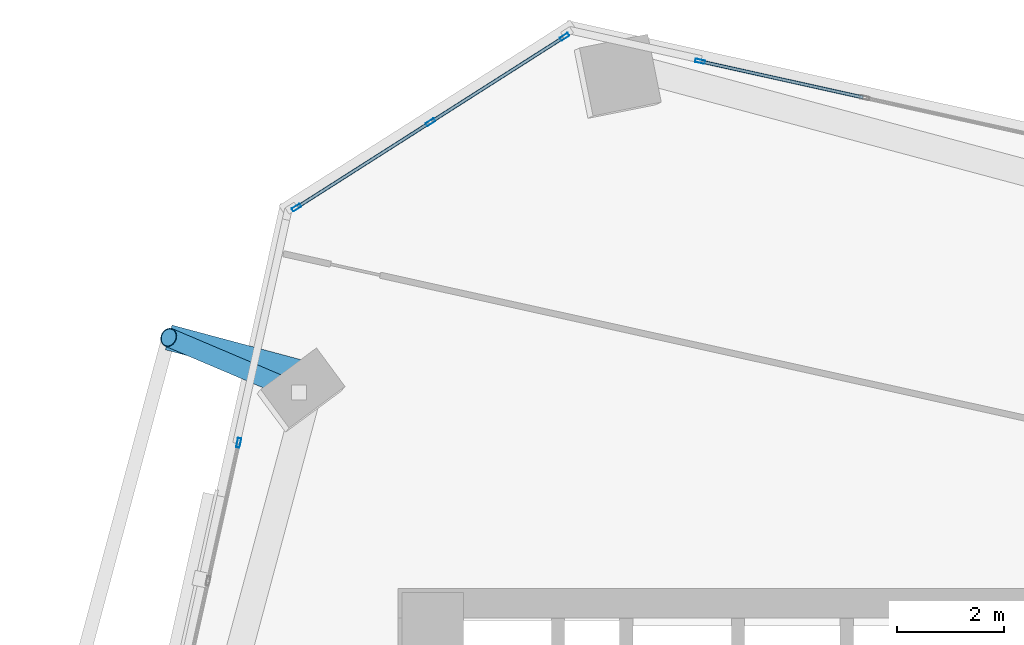
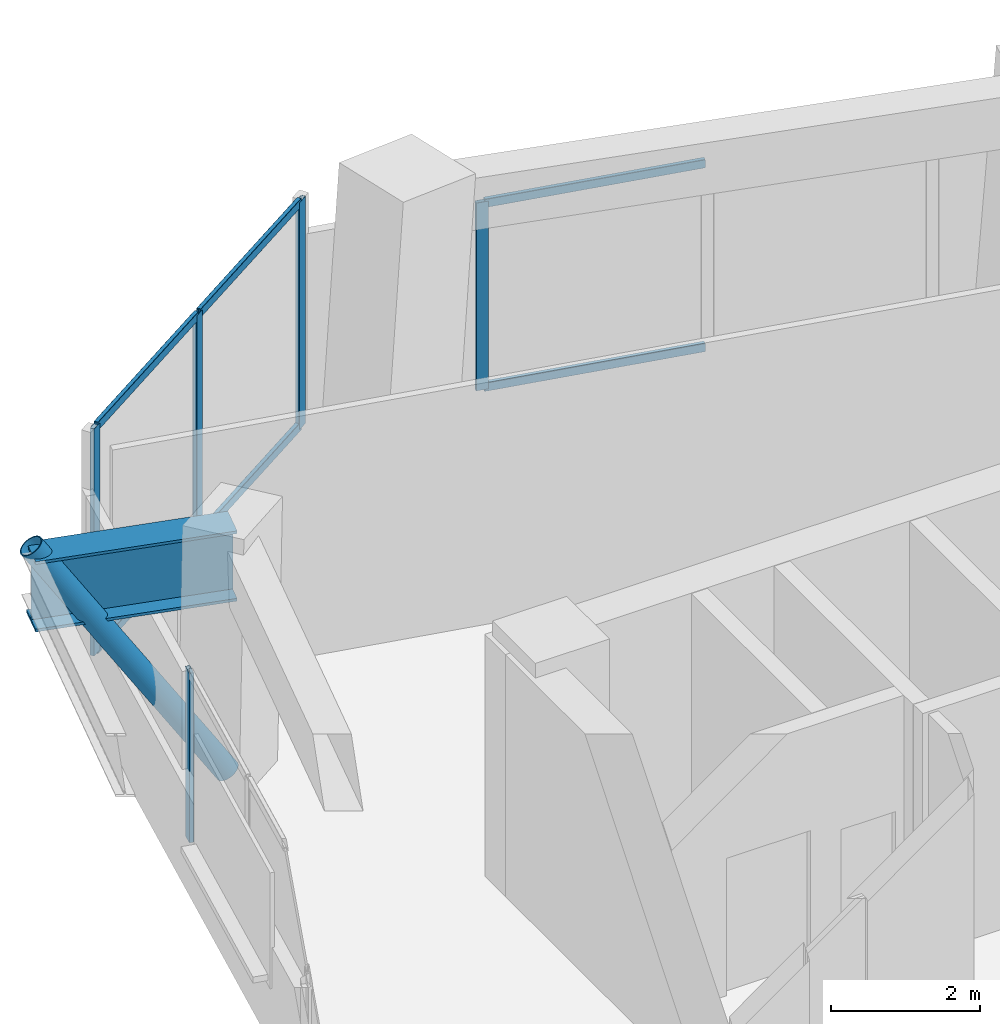
# One storey, part 16 of 26: 12 members, 1 beam, 3 elements without a shape of their own.
"""IFC4 building model written with IfcOpenShell, lengths in metres."""

from ifc_helpers import new_model, si_unit, direction, frame, origin, origin_2d, place, context, subcontext, project, spatial, hollow_rectangle, hollow_circle, i_section, extrude, source, transform, mapped, material, material_profile, profile_set, type_object, element, aggregate, save


model = new_model("IFC4")

# Units and contexts
model_context = context("Model", 3, precision=1e-05, world=origin(), true_north=direction((0.0, 1.0)))
body_context = subcontext(model_context, "Body", "Model", "MODEL_VIEW")
ifc_project = project(units=[si_unit("LENGTHUNIT", "METRE"), si_unit("AREAUNIT", "SQUARE_METRE"), si_unit("VOLUMEUNIT", "CUBIC_METRE"), si_unit("PLANEANGLEUNIT", "RADIAN"), si_unit("MASSUNIT", "GRAM", prefix="KILO")], contexts=[model_context])

# Site, building, storey
site_placement = place(None, origin())
site = spatial("IfcSite", under=ifc_project, at=site_placement, CompositionType="ELEMENT")
building_placement = place(site_placement, origin())
building = spatial("IfcBuilding", under=site, at=building_placement, Name="Torre Montelarca", CompositionType="ELEMENT")
storey_placement = place(building_placement, frame((0.0, 0.0, 95.800048828125)))
storey = spatial("IfcBuildingStorey", under=building, at=storey_placement, Name="L21", CompositionType="ELEMENT", Elevation=95.800048828125)

# Member
ifc_material_1 = material(Name="Steel ASTM A500 Grade C", Category="steel")
ifc_material_profile_1 = material_profile(ifc_material_1, hollow_circle(Radius=0.177734375, WallThickness=0.015869140625, at=origin_2d()), Name="HSS355.6X15.9", Category="steel")
ifc_profile_set_1 = profile_set([ifc_material_profile_1], Name="Steel ASTM A500 Grade C")
member_type_1 = type_object("IfcMemberType", Name="MB-BR-CHS356-EXT", PredefinedType="BRACE", material=ifc_profile_set_1)
shared_shape_1 = source(origin(), body_context, "Body", "SweptSolid", [
    extrude(hollow_circle(Radius=0.177734375, WallThickness=0.015869140625, at=origin_2d()), origin(), (0.0, 0.0, 1.0), 4.7265625),
])
member_1_placement = place(storey_placement, frame((7.034423828125, 43.775634765625, 0.14990234375), z_axis=(-0.517145103995, 0.219523241308, 0.827266878304), x_axis=(-0.390743448065, -0.920499624006, 0.0)))
element("IfcMember", 1, at=member_1_placement, inside=storey, type_object=member_type_1, Name="L22 Sliding Tray Exterior Diagonal Raker Strut W3", PredefinedType="BRACE", context=body_context, shape_type="MappedRepresentation", body=[
    mapped(shared_shape_1, transform((0.0, 0.0, 0.0), scale=1.0)),
])

# Beam
ifc_material_2 = material(Name="Steel ASTM A572 Grade 50", Category="steel")
ifc_material_profile_2 = material_profile(ifc_material_2, i_section(OverallWidth=0.47998046875, OverallDepth=1.14990234375, WebThickness=0.02197265625, FlangeThickness=0.044921875, at=origin_2d()), Name="PG1150X480X22X45", Category="steel")
ifc_profile_set_2 = profile_set([ifc_material_profile_2], Name="Steel ASTM A572 Grade 50")
beam_type = type_object("IfcBeamType", Name="BM-CG-PG1400-EXT", PredefinedType="USERDEFINED", material=ifc_profile_set_2)
shared_shape_2 = source(origin(), body_context, "Body", "SweptSolid", [
    extrude(i_section(OverallWidth=0.47998046875, OverallDepth=1.14990234375, WebThickness=0.02197265625, FlangeThickness=0.044921875, at=origin_2d()), origin(), (0.0, 0.0, 1.0), 2.800048828125),
])
beam_placement = place(storey_placement, frame((7.294677734375, 44.08837890625, 3.385009765625), z_axis=(-0.965911463294, 0.258872642582, 0.0), x_axis=(-0.258872642582, -0.965911463294, 0.0)))
element("IfcBeam", 2, at=beam_placement, inside=storey, type_object=beam_type, Name="L21 Sliding Tray Cantilever Girder West Y=40.0m (FLR)", ObjectType="CANTILEVER GIRDER", PredefinedType="USERDEFINED", context=body_context, shape_type="MappedRepresentation", body=[
    mapped(shared_shape_2, transform((0.0, 0.0, 0.0), scale=1.0)),
])

# Curtain wall, members
ifc_material_3 = material(Name="Insulated low-E laminated glass", Category="glass")
curtain_wall_type = type_object("IfcCurtainWallType", Name="CW-SYS-Z1", PredefinedType="USERDEFINED", material=ifc_material_3)
curtain_wall_1_placement = place(storey_placement, origin())
curtain_wall_1 = element("IfcCurtainWall", 3, at=curtain_wall_1_placement, inside=storey, type_object=curtain_wall_type, Name="L21 Curtain Wall Run CW-T3-L21-E09-B1", ObjectType="UNITISED GLAZING", PredefinedType="USERDEFINED")
ifc_material_4 = material(Name="Anodised aluminium AA 6063-T6", Category="aluminium")
ifc_material_profile_3 = material_profile(ifc_material_4, hollow_rectangle(XDim=0.06494140625, YDim=0.139892578125, WallThickness=0.00390625, InnerFilletRadius=0.00390625, OuterFilletRadius=0.008056640625, at=origin_2d()), Name="ALU65X140X4", Category="aluminium")
ifc_profile_set_3 = profile_set([ifc_material_profile_3], Name="Anodised aluminium AA 6063-T6")
member_type_2 = type_object("IfcMemberType", Name="CWT-ALU140", PredefinedType="USERDEFINED", material=ifc_profile_set_3)
shared_shape_3 = source(origin(), body_context, "Body", "SweptSolid", [
    extrude(hollow_rectangle(XDim=0.06494140625, YDim=0.139892578125, WallThickness=0.00390625, InnerFilletRadius=0.00390625, OuterFilletRadius=0.008056640625, at=origin_2d()), origin(), (0.0, 0.0, 1.0), 2.9189453125),
])
member_2_placement = place(storey_placement, frame((11.994384765625, 50.439453125, 0.032470703125), z_axis=(-0.843375504823, -0.53732462987, 0.0), x_axis=(0.53732462987, -0.843375504823, 0.0)))
member_2 = element("IfcMember", 4, at=member_2_placement, type_object=member_type_2, Name="CW transom 1.1", ObjectType="TRANSOM", PredefinedType="USERDEFINED", context=body_context, shape_type="MappedRepresentation", body=[
    mapped(shared_shape_3, transform((0.0, 0.0, 0.0), scale=1.0)),
])
member_3_placement = place(storey_placement, frame((11.994384765625, 50.439453125, 3.6875), z_axis=(-0.843375504823, -0.53732462987, 0.0), x_axis=(0.53732462987, -0.843375504823, 0.0)))
member_3 = element("IfcMember", 5, at=member_3_placement, type_object=member_type_2, Name="CW transom 1.2", ObjectType="TRANSOM", PredefinedType="USERDEFINED", context=body_context, shape_type="MappedRepresentation", body=[
    mapped(shared_shape_3, transform((0.0, 0.0, 0.0), scale=1.0)),
])
member_4_placement = place(storey_placement, frame((9.47802734375, 48.836181640625, 0.032470703125), z_axis=(-0.843375504823, -0.53732462987, 0.0), x_axis=(0.53732462987, -0.843375504823, 0.0)))
member_4 = element("IfcMember", 6, at=member_4_placement, type_object=member_type_2, Name="CW transom 2.1", ObjectType="TRANSOM", PredefinedType="USERDEFINED", context=body_context, shape_type="MappedRepresentation", body=[
    mapped(shared_shape_3, transform((0.0, 0.0, 0.0), scale=1.0)),
])
member_5_placement = place(storey_placement, frame((9.47802734375, 48.836181640625, 3.6875), z_axis=(-0.843375504823, -0.53732462987, 0.0), x_axis=(0.53732462987, -0.843375504823, 0.0)))
member_5 = element("IfcMember", 7, at=member_5_placement, type_object=member_type_2, Name="CW transom 2.2", ObjectType="TRANSOM", PredefinedType="USERDEFINED", context=body_context, shape_type="MappedRepresentation", body=[
    mapped(shared_shape_3, transform((0.0, 0.0, 0.0), scale=1.0)),
])

curtain_wall_2_placement = place(storey_placement, origin())
curtain_wall_2 = element("IfcCurtainWall", 8, at=curtain_wall_2_placement, inside=storey, type_object=curtain_wall_type, Name="L21 Curtain Wall Run CW-T3-L21-E08-B3", ObjectType="UNITISED GLAZING", PredefinedType="USERDEFINED")
shared_shape_4 = source(origin(), body_context, "Body", "SweptSolid", [
    extrude(hollow_rectangle(XDim=0.06494140625, YDim=0.139892578125, WallThickness=0.00390625, InnerFilletRadius=0.00390625, OuterFilletRadius=0.008056640625, at=origin_2d()), origin(), (0.0, 0.0, 1.0), 3.101806640625),
])
member_6_placement = place(storey_placement, frame((17.626220703125, 49.31884765625, 0.032470703125), z_axis=(-0.976294353822, 0.216447071349, 0.0), x_axis=(-0.216447071349, -0.976294353822, 0.0)))
member_6 = element("IfcMember", 9, at=member_6_placement, type_object=member_type_2, Name="CW transom 2.1", ObjectType="TRANSOM", PredefinedType="USERDEFINED", context=body_context, shape_type="MappedRepresentation", body=[
    mapped(shared_shape_4, transform((0.0, 0.0, 0.0), scale=1.0)),
])
member_7_placement = place(storey_placement, frame((17.626220703125, 49.31884765625, 3.04248046875), z_axis=(-0.976294353822, 0.216447071349, 0.0), x_axis=(-0.216447071349, -0.976294353822, 0.0)))
member_7 = element("IfcMember", 10, at=member_7_placement, type_object=member_type_2, Name="CW transom 2.2", ObjectType="TRANSOM", PredefinedType="USERDEFINED", context=body_context, shape_type="MappedRepresentation", body=[
    mapped(shared_shape_4, transform((0.0, 0.0, 0.0), scale=1.0)),
])

# Member
ifc_material_profile_4 = material_profile(ifc_material_4, hollow_rectangle(XDim=0.06494140625, YDim=0.179931640625, WallThickness=0.00390625, InnerFilletRadius=0.00390625, OuterFilletRadius=0.008056640625, at=origin_2d()), Name="ALU65X180X4", Category="aluminium")
ifc_profile_set_4 = profile_set([ifc_material_profile_4], Name="Anodised aluminium AA 6063-T6")
member_type_3 = type_object("IfcMemberType", Name="CWM-ALU180", PredefinedType="MULLION", material=ifc_profile_set_4)
shared_shape_5 = source(origin(), body_context, "Body", "SweptSolid", [
    extrude(hollow_rectangle(XDim=0.06494140625, YDim=0.179931640625, WallThickness=0.00390625, InnerFilletRadius=0.00390625, OuterFilletRadius=0.008056640625, at=origin_2d()), origin(), (0.0, 0.0, 1.0), 3.719970703125),
])
member_8_placement = place(storey_placement, frame((12.021728515625, 50.456787109375, 0.0), z_axis=(0.0, 0.0, 1.0), x_axis=(0.537316274487, -0.843380828079, 0.0)))
member_8 = element("IfcMember", 11, at=member_8_placement, type_object=member_type_3, Name="CW mullion 1", PredefinedType="MULLION", context=body_context, shape_type="MappedRepresentation", body=[
    mapped(shared_shape_5, transform((0.0, 0.0, 0.0), scale=1.0)),
])

member_9_placement = place(storey_placement, frame((9.50537109375, 48.853759765625, 0.0), z_axis=(0.0, 0.0, 1.0), x_axis=(0.537316274487, -0.843380828079, 0.0)))
member_9 = element("IfcMember", 12, at=member_9_placement, type_object=member_type_3, Name="CW mullion 2", PredefinedType="MULLION", context=body_context, shape_type="MappedRepresentation", body=[
    mapped(shared_shape_5, transform((0.0, 0.0, 0.0), scale=1.0)),
])

member_10_placement = place(storey_placement, frame((6.989013671875, 47.25048828125, 0.0), z_axis=(0.0, 0.0, 1.0), x_axis=(0.537316274487, -0.843380828079, 0.0)))
member_10 = element("IfcMember", 13, at=member_10_placement, type_object=member_type_3, Name="CW mullion 3", PredefinedType="MULLION", context=body_context, shape_type="MappedRepresentation", body=[
    mapped(shared_shape_5, transform((0.0, 0.0, 0.0), scale=1.0)),
])

aggregate(curtain_wall_1, [member_8, member_9, member_10, member_2, member_3, member_4, member_5])

shared_shape_6 = source(origin(), body_context, "Body", "SweptSolid", [
    extrude(hollow_rectangle(XDim=0.06494140625, YDim=0.179931640625, WallThickness=0.00390625, InnerFilletRadius=0.00390625, OuterFilletRadius=0.008056640625, at=origin_2d()), origin(), (0.0, 0.0, 1.0), 3.074951171875),
])
member_11_placement = place(storey_placement, frame((14.566162109375, 49.997314453125, 0.0), z_axis=(0.0, 0.0, 1.0), x_axis=(-0.216450553965, -0.97629358171, 0.0)))
member_11 = element("IfcMember", 14, at=member_11_placement, type_object=member_type_3, Name="CW mullion 3", PredefinedType="MULLION", context=body_context, shape_type="MappedRepresentation", body=[
    mapped(shared_shape_6, transform((0.0, 0.0, 0.0), scale=1.0)),
])

aggregate(curtain_wall_2, [member_11, member_6, member_7])

# Curtain wall, member
curtain_wall_3_placement = place(storey_placement, origin())
curtain_wall_3 = element("IfcCurtainWall", 15, at=curtain_wall_3_placement, inside=storey, type_object=curtain_wall_type, Name="L21 Curtain Wall Run CW-T3-L21-E10-B1", ObjectType="UNITISED GLAZING", PredefinedType="USERDEFINED")
shared_shape_7 = source(origin(), body_context, "Body", "SweptSolid", [
    extrude(hollow_rectangle(XDim=0.06494140625, YDim=0.179931640625, WallThickness=0.00390625, InnerFilletRadius=0.00390625, OuterFilletRadius=0.008056640625, at=origin_2d()), origin(), (0.0, 0.0, 1.0), 2.77490234375),
])
member_12_placement = place(storey_placement, frame((5.905517578125, 42.835205078125, 0.0), z_axis=(0.0, 0.0, 1.0), x_axis=(0.976297336724, -0.216433616394, 0.0)))
member_12 = element("IfcMember", 16, at=member_12_placement, type_object=member_type_3, Name="CW mullion 1", PredefinedType="MULLION", context=body_context, shape_type="MappedRepresentation", body=[
    mapped(shared_shape_7, transform((0.0, 0.0, 0.0), scale=1.0)),
])
aggregate(curtain_wall_3, [member_12])

save(model, "model.ifc")
